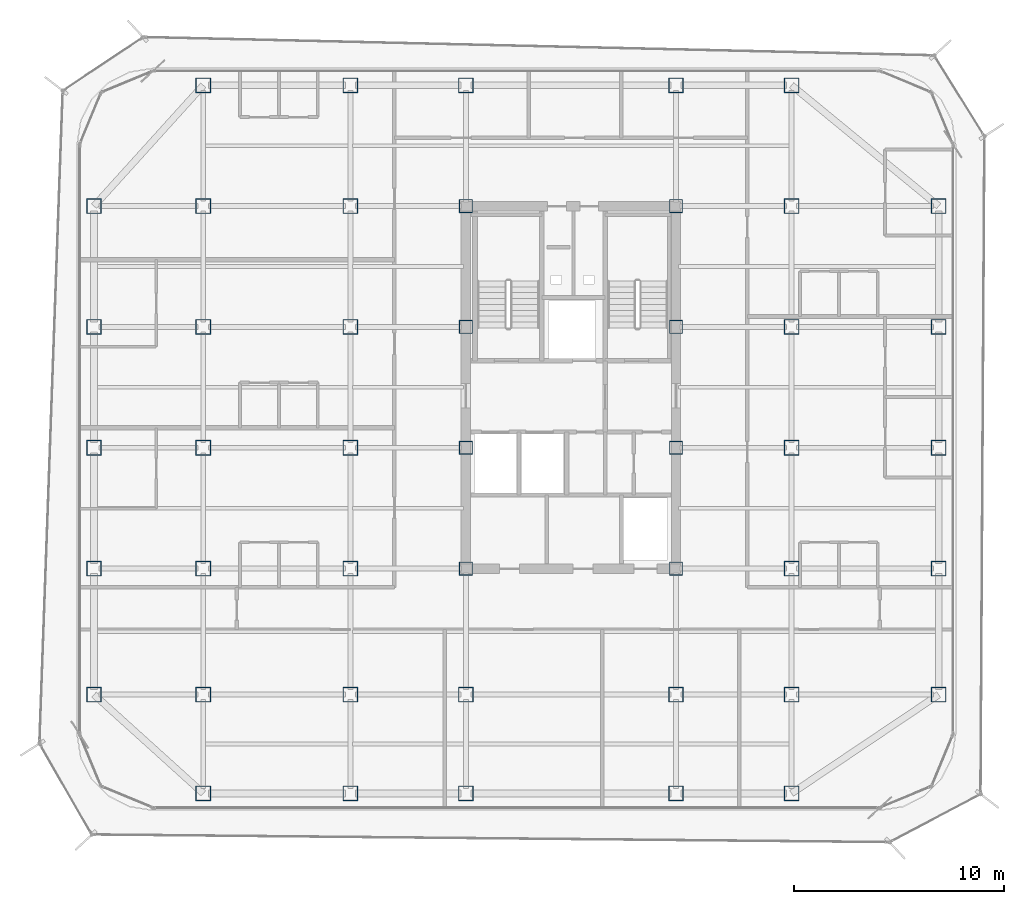
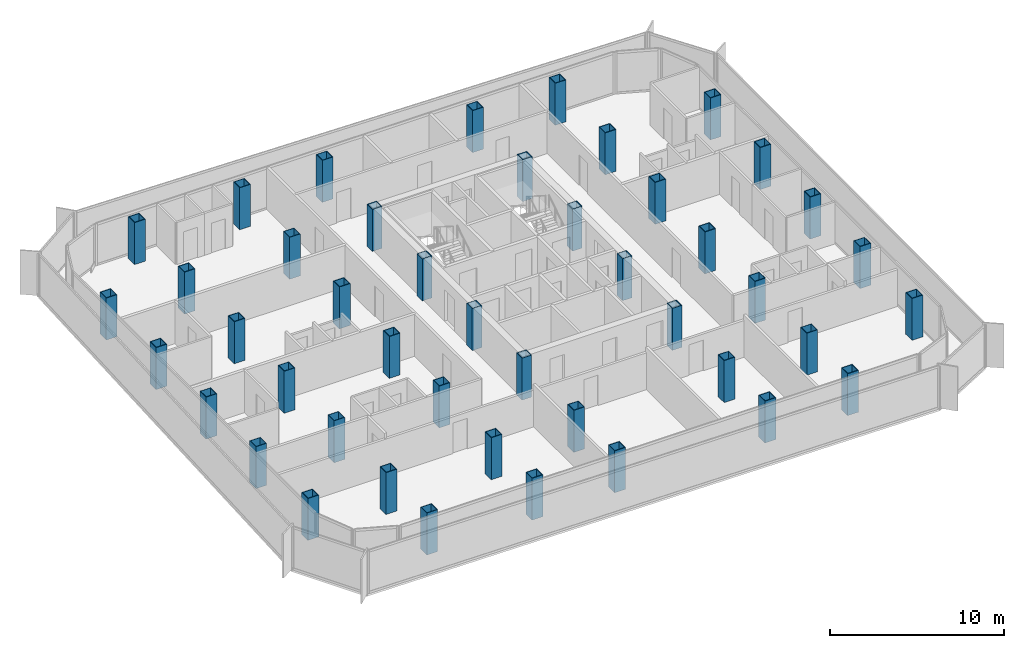
# One storey, part 1 of 15: 45 columns.
"""IFC4 building model written with IfcOpenShell, lengths in metres."""

from ifc_helpers import new_model, si_unit, direction, frame, origin, origin_2d, place, context, subcontext, project, spatial, hollow_rectangle, extrude, source, transform, mapped, material, material_profile, profile_set, type_object, element, save


model = new_model("IFC4")

# Units and contexts
model_context = context("Model", 3, precision=1e-05, world=origin(), true_north=direction((0.0, 1.0)))
body_context = subcontext(model_context, "Body", "Model", "MODEL_VIEW")
ifc_project = project(units=[si_unit("LENGTHUNIT", "METRE"), si_unit("AREAUNIT", "SQUARE_METRE"), si_unit("VOLUMEUNIT", "CUBIC_METRE"), si_unit("PLANEANGLEUNIT", "RADIAN"), si_unit("MASSUNIT", "GRAM", prefix="KILO")], contexts=[model_context])

# Site, building, storey
site_placement = place(None, origin())
site = spatial("IfcSite", under=ifc_project, at=site_placement, CompositionType="ELEMENT")
building_placement = place(site_placement, origin())
building = spatial("IfcBuilding", under=site, at=building_placement, Name="Kolveth Station Tower", CompositionType="ELEMENT")
storey_placement = place(building_placement, frame((0.0, 0.0, 196.39990234375)))
storey = spatial("IfcBuildingStorey", under=building, at=storey_placement, Name="L55", CompositionType="ELEMENT", Elevation=196.39990234375)

# Columns
ifc_material = material(Name="Steel S355", Category="steel")
ifc_material_profile_1 = material_profile(ifc_material, hollow_rectangle(XDim=0.719970703125, YDim=0.719970703125, WallThickness=0.0400390625, at=origin_2d()), Name="BOX720x720x40")
ifc_profile_set_1 = profile_set([ifc_material_profile_1], Name="Steel S355")
column_type_1 = type_object("IfcColumnType", Name="Col_C6", PredefinedType="COLUMN", material=ifc_profile_set_1)
shared_shape_1 = source(origin(), body_context, "Body", "SweptSolid", [
    extrude(hollow_rectangle(XDim=0.719970703125, YDim=0.719970703125, WallThickness=0.0400390625, at=origin_2d()), origin(), (0.0, 0.0, 1.0), 2.9501953125),
])
for number, where, z_axis, x_axis, name in (
    (1, (6.0, 0.800048828125, 0.0), (0.0, 0.0, 1.0), (1.0, 0.0, 0.0), "L55 Tower Column S-X60"),
    (2, (6.0, 34.5, 0.0), (0.0, 0.0, 1.0), (1.0, 0.0, 0.0), "L55 Tower Column N-X60"),
    (3, (13.0, 0.800048828125, 0.0), (0.0, 0.0, 1.0), (1.0, 0.0, 0.0), "L55 Tower Column S-X130"),
    (4, (13.0, 34.5, 0.0), (0.0, 0.0, 1.0), (1.0, 0.0, 0.0), "L55 Tower Column N-X130"),
    (5, (18.5, 0.800048828125, 0.0), (0.0, 0.0, 1.0), (1.0, 0.0, 0.0), "L55 Tower Column S-X185"),
    (6, (18.5, 34.5, 0.0), (0.0, 0.0, 1.0), (1.0, 0.0, 0.0), "L55 Tower Column N-X185"),
    (7, (28.5, 0.800048828125, 0.0), (0.0, 0.0, 1.0), (1.0, 0.0, 0.0), "L55 Tower Column S-X285"),
    (8, (28.5, 34.5, 0.0), (0.0, 0.0, 1.0), (1.0, 0.0, 0.0), "L55 Tower Column N-X285"),
    (9, (34.0, 0.800048828125, 0.0), (0.0, 0.0, 1.0), (1.0, 0.0, 0.0), "L55 Tower Column S-X340"),
    (10, (34.0, 34.5, 0.0), (0.0, 0.0, 1.0), (1.0, 0.0, 0.0), "L55 Tower Column N-X340"),
    (11, (0.800048828125, 5.5, 0.0), (0.0, 0.0, 1.0), (1.0, 0.0, 0.0), "L55 Tower Column W-Y55"),
    (12, (41.0, 5.5, 0.0), (0.0, 0.0, 1.0), (1.0, 0.0, 0.0), "L55 Tower Column E-Y55"),
    (13, (0.800048828125, 11.5, 0.0), (0.0, 0.0, 1.0), (1.0, 0.0, 0.0), "L55 Tower Column W-Y115"),
    (14, (41.0, 11.5, 0.0), (0.0, 0.0, 1.0), (1.0, 0.0, 0.0), "L55 Tower Column E-Y115"),
    (15, (0.800048828125, 17.25, 0.0), (0.0, 0.0, 1.0), (1.0, 0.0, 0.0), "L55 Tower Column W-Y172"),
    (16, (41.0, 17.25, 0.0), (0.0, 0.0, 1.0), (1.0, 0.0, 0.0), "L55 Tower Column E-Y172"),
    (17, (0.800048828125, 23.0, 0.0), (0.0, 0.0, 1.0), (1.0, 0.0, 0.0), "L55 Tower Column W-Y230"),
    (18, (41.0, 23.0, 0.0), (0.0, 0.0, 1.0), (1.0, 0.0, 0.0), "L55 Tower Column E-Y230"),
    (19, (0.800048828125, 28.75, 0.0), (0.0, 0.0, 1.0), (1.0, 0.0, 0.0), "L55 Tower Column W-Y287"),
    (20, (41.0, 28.75, 0.0), (0.0, 0.0, 1.0), (1.0, 0.0, 0.0), "L55 Tower Column E-Y287"),
    (21, (6.0, 5.5, 0.0), (0.0, 0.0, 1.0), (1.0, 0.0, 0.0), "L55 Tower Column G-60-55"),
    (22, (6.0, 11.5, 0.0), (0.0, 0.0, 1.0), (1.0, 0.0, 0.0), "L55 Tower Column G-60-115"),
    (23, (6.0, 17.25, 0.0), (0.0, 0.0, 1.0), (1.0, 0.0, 0.0), "L55 Tower Column G-60-172"),
    (24, (6.0, 23.0, 0.0), (0.0, 0.0, 1.0), (1.0, 0.0, 0.0), "L55 Tower Column G-60-230"),
    (25, (6.0, 28.75, 0.0), (0.0, 0.0, 1.0), (1.0, 0.0, 0.0), "L55 Tower Column G-60-287"),
    (26, (13.0, 5.5, 0.0), (0.0, 0.0, 1.0), (1.0, 0.0, 0.0), "L55 Tower Column G-130-55"),
    (27, (13.0, 11.5, 0.0), (0.0, 0.0, 1.0), (1.0, 0.0, 0.0), "L55 Tower Column G-130-115"),
    (28, (13.0, 17.25, 0.0), (0.0, 0.0, 1.0), (1.0, 0.0, 0.0), "L55 Tower Column G-130-172"),
    (29, (13.0, 23.0, 0.0), (0.0, 0.0, 1.0), (1.0, 0.0, 0.0), "L55 Tower Column G-130-230"),
    (30, (13.0, 28.75, 0.0), (0.0, 0.0, 1.0), (1.0, 0.0, 0.0), "L55 Tower Column G-130-287"),
    (31, (18.5, 5.5, 0.0), (0.0, 0.0, 1.0), (1.0, 0.0, 0.0), "L55 Tower Column G-185-55"),
    (32, (28.5, 5.5, 0.0), (0.0, 0.0, 1.0), (1.0, 0.0, 0.0), "L55 Tower Column G-285-55"),
    (33, (34.0, 5.5, 0.0), (0.0, 0.0, 1.0), (1.0, 0.0, 0.0), "L55 Tower Column G-340-55"),
    (34, (34.0, 11.5, 0.0), (0.0, 0.0, 1.0), (1.0, 0.0, 0.0), "L55 Tower Column G-340-115"),
    (35, (34.0, 17.25, 0.0), (0.0, 0.0, 1.0), (1.0, 0.0, 0.0), "L55 Tower Column G-340-172"),
    (36, (34.0, 23.0, 0.0), (0.0, 0.0, 1.0), (1.0, 0.0, 0.0), "L55 Tower Column G-340-230"),
    (37, (34.0, 28.75, 0.0), (0.0, 0.0, 1.0), (1.0, 0.0, 0.0), "L55 Tower Column G-340-287"),
):
    element("IfcColumn", number, at=place(storey_placement, frame(where, z_axis=z_axis, x_axis=x_axis)), inside=storey, type_object=column_type_1, Name=name, PredefinedType="COLUMN", context=body_context, shape_type="MappedRepresentation", body=[
        mapped(shared_shape_1, transform((0.0, 0.0, 0.0), x_axis=(1.0, 0.0, 0.0), y_axis=(0.0, 1.0, 0.0), z_axis=(0.0, 0.0, 1.0), scale=1.0)),
    ])
ifc_material_profile_2 = material_profile(ifc_material, hollow_rectangle(XDim=0.639892578125, YDim=0.639892578125, WallThickness=0.034912109375, at=origin_2d()), Name="BOX640x640x35")
ifc_profile_set_2 = profile_set([ifc_material_profile_2], Name="Steel S355")
column_type_2 = type_object("IfcColumnType", Name="Col_C7", PredefinedType="COLUMN", material=ifc_profile_set_2)
shared_shape_2 = source(origin(), body_context, "Body", "SweptSolid", [
    extrude(hollow_rectangle(XDim=0.639892578125, YDim=0.639892578125, WallThickness=0.034912109375, at=origin_2d()), origin(), (0.0, 0.0, 1.0), 2.9501953125),
])
for number, where, z_axis, x_axis, name in (
    (38, (18.5, 11.5, 0.0), (0.0, 0.0, 1.0), (1.0, 0.0, 0.0), "L55 Tower Column G-185-115"),
    (39, (18.5, 17.25, 0.0), (0.0, 0.0, 1.0), (1.0, 0.0, 0.0), "L55 Tower Column G-185-172"),
    (40, (18.5, 23.0, 0.0), (0.0, 0.0, 1.0), (1.0, 0.0, 0.0), "L55 Tower Column G-185-230"),
    (41, (18.5, 28.75, 0.0), (0.0, 0.0, 1.0), (1.0, 0.0, 0.0), "L55 Tower Column G-185-287"),
    (42, (28.5, 11.5, 0.0), (0.0, 0.0, 1.0), (1.0, 0.0, 0.0), "L55 Tower Column G-285-115"),
    (43, (28.5, 17.25, 0.0), (0.0, 0.0, 1.0), (1.0, 0.0, 0.0), "L55 Tower Column G-285-172"),
    (44, (28.5, 23.0, 0.0), (0.0, 0.0, 1.0), (1.0, 0.0, 0.0), "L55 Tower Column G-285-230"),
    (45, (28.5, 28.75, 0.0), (0.0, 0.0, 1.0), (1.0, 0.0, 0.0), "L55 Tower Column G-285-287"),
):
    element("IfcColumn", number, at=place(storey_placement, frame(where, z_axis=z_axis, x_axis=x_axis)), inside=storey, type_object=column_type_2, Name=name, PredefinedType="COLUMN", context=body_context, shape_type="MappedRepresentation", body=[
        mapped(shared_shape_2, transform((0.0, 0.0, 0.0), x_axis=(1.0, 0.0, 0.0), y_axis=(0.0, 1.0, 0.0), z_axis=(0.0, 0.0, 1.0), scale=1.0)),
    ])

save(model, "model.ifc")
